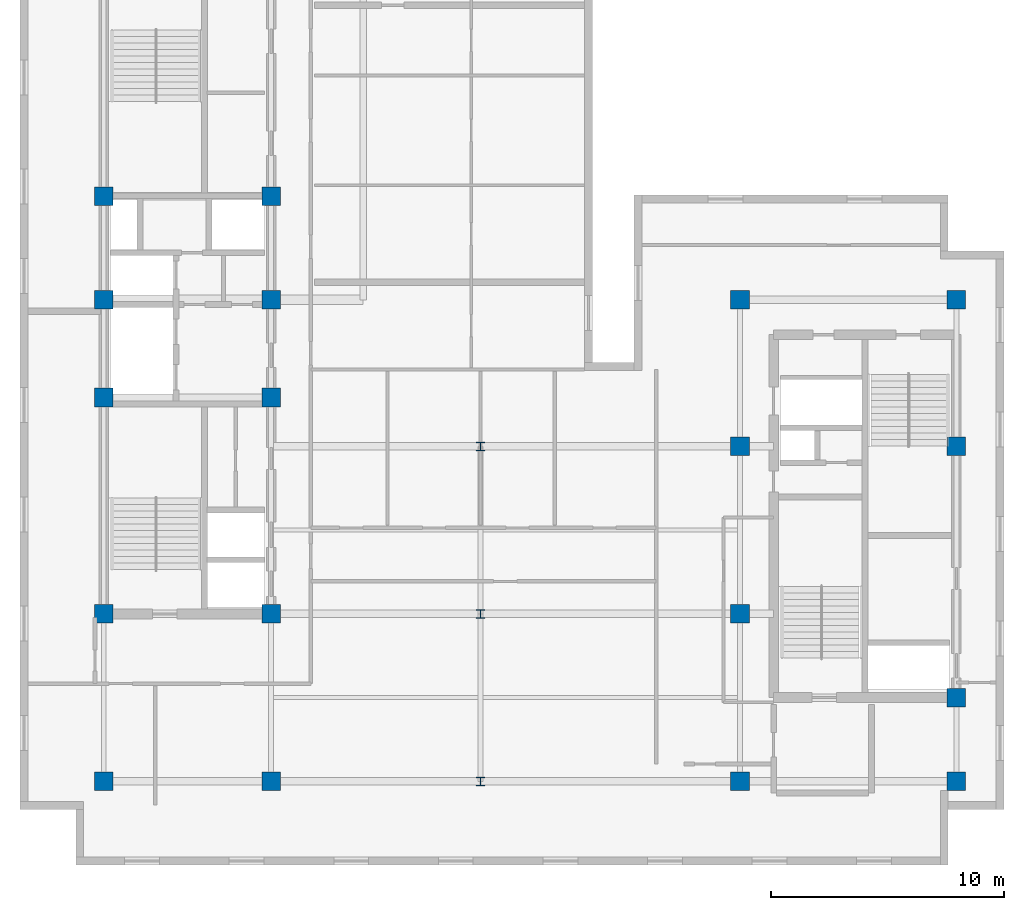
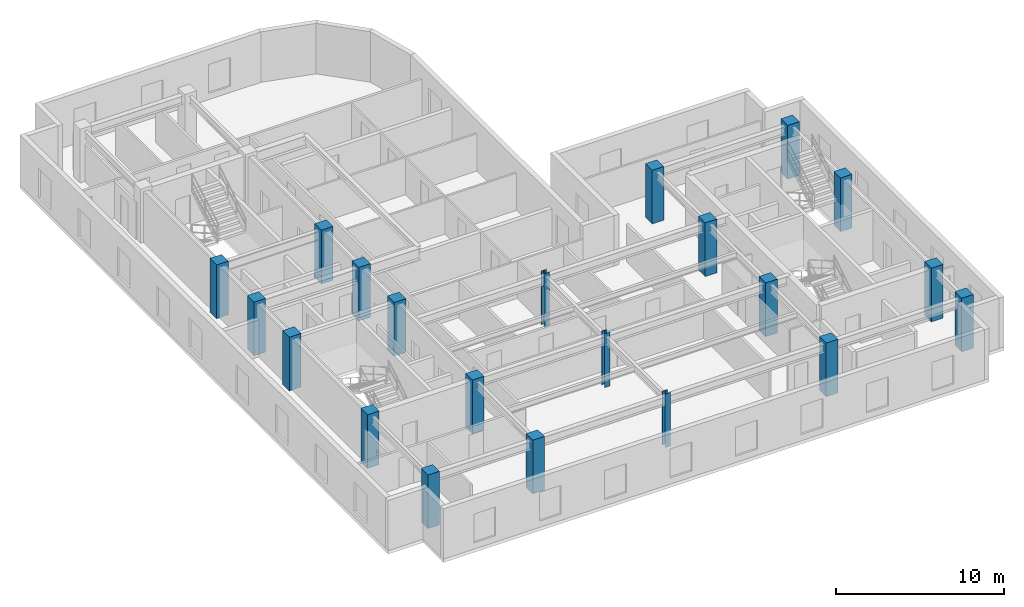
# One storey, part 1 of 10: 21 columns.
"""IFC4 building model written with IfcOpenShell, lengths in metres."""

import ifcopenshell
import ifcopenshell.guid

model = None  # the IFC model being written
_history = None  # IfcOwnerHistory: only IFC2X3 demands one
_inside = {}  # id of a spatial element -> (the spatial element, [elements in it])
_under = {}  # id of a project, library or spatial element -> (it, [spatial elements below it])
_declared = {}  # id of a project -> (the project, [libraries it declares])
_typed = {}  # id of a type object -> (the type object, [elements of that type])
_made_of = {}  # id of a material, layer set ... -> (it, [elements and type objects made of it])


def new_model(schema):
    """Start an empty IFC model of exactly this schema.

    Asked for "IFC4X3", IfcOpenShell would pick the latest addendum, in which some entities
    have other attributes; the version numbers below select the first issue.
    IFC2X3 requires an IfcOwnerHistory on every rooted entity: one is made here for all.
    """
    global model, _history
    if schema == "IFC4X3":
        model = ifcopenshell.file(schema_version=(4, 3, 0, 0))
    else:
        model = ifcopenshell.file(schema=schema)
    _inside.clear()
    _under.clear()
    _declared.clear()
    _typed.clear()
    _made_of.clear()
    _history = None
    if model.schema == "IFC2X3":
        org = make("IfcOrganization", Name="unknown")
        user = make(
            "IfcPersonAndOrganization",
            ThePerson=make("IfcPerson", FamilyName="unknown"),
            TheOrganization=org,
        )
        app = make(
            "IfcApplication",
            ApplicationDeveloper=org,
            Version="unknown",
            ApplicationFullName="unknown",
            ApplicationIdentifier="unknown",
        )
        _history = make(
            "IfcOwnerHistory",
            OwningUser=user,
            OwningApplication=app,
            ChangeAction="ADDED",
            CreationDate=0,
        )
    return model


def make(cls, **values):
    """One entity of the class cls with the attributes given. An attribute that is None is left unset."""
    return model.create_entity(
        cls, **{name: value for name, value in values.items() if value is not None}
    )


def entity(cls, *values):
    """Any entity or typed value of the class cls, its attributes in the order of the schema. None: left unset."""
    e = model.create_entity(cls)
    for i, value in enumerate(values):
        if value is not None:
            e[i] = value
    return e


def rooted(cls, **values):
    """An entity with a GlobalId (a new one), such as an element, a storey or a relation."""
    return make(cls, GlobalId=ifcopenshell.guid.new(), OwnerHistory=_history, **values)


def si_unit(unit_type, name, prefix=None):
    """IfcSIUnit, for example si_unit("LENGTHUNIT", "METRE", prefix="MILLI")."""
    return make("IfcSIUnit", UnitType=unit_type, Prefix=prefix, Name=name)


def converted_unit(unit_type, name, factor, base, dimensions=None, offset=None):
    """IfcConversionBasedUnit, such as the inch: factor (a typed value) times the base unit."""
    return make(
        "IfcConversionBasedUnit"
        if offset is None
        else "IfcConversionBasedUnitWithOffset",
        ConversionOffset=offset,
        Dimensions=None
        if dimensions is None
        else entity("IfcDimensionalExponents", *dimensions),
        UnitType=unit_type,
        Name=name,
        ConversionFactor=make(
            "IfcMeasureWithUnit", ValueComponent=factor, UnitComponent=base
        ),
    )


def assignment(units):
    """IfcUnitAssignment: the units of a project."""
    return None if units is None else make("IfcUnitAssignment", Units=units)


def point(xyz):
    """IfcCartesianPoint."""
    return None if xyz is None else make("IfcCartesianPoint", Coordinates=xyz)


def direction(xyz):
    """IfcDirection."""
    return None if xyz is None else make("IfcDirection", DirectionRatios=xyz)


def frame(location, z_axis=None, x_axis=None):
    """IfcAxis2Placement3D, a coordinate frame: its origin and axes. An axis left out is left unset."""
    return make(
        "IfcAxis2Placement3D",
        Location=point(location),
        Axis=direction(z_axis),
        RefDirection=direction(x_axis),
    )


def frame_2d(location, x_axis=None):
    """IfcAxis2Placement2D, a coordinate frame in the plane: its origin and x axis."""
    return make(
        "IfcAxis2Placement2D", Location=point(location), RefDirection=direction(x_axis)
    )


def origin_with_axes():
    """The frame at (0, 0, 0) with the z axis (0, 0, 1) and the x axis (1, 0, 0) written out."""
    return frame((0.0, 0.0, 0.0), z_axis=(0.0, 0.0, 1.0), x_axis=(1.0, 0.0, 0.0))


def origin_2d_with_axis():
    """The frame at (0, 0) in the plane with the x axis (1, 0) written out."""
    return frame_2d((0.0, 0.0), x_axis=(1.0, 0.0))


def place(relative_to, where):
    """IfcLocalPlacement: puts the frame where relative to a parent placement (None: the world)."""
    return make(
        "IfcLocalPlacement", PlacementRelTo=relative_to, RelativePlacement=where
    )


def context(
    kind, dimensions, precision=None, world=None, true_north=None, identifier=None
):
    """IfcGeometricRepresentationContext, for example the 3D "Model" context."""
    return make(
        "IfcGeometricRepresentationContext",
        ContextIdentifier=identifier,
        ContextType=kind,
        CoordinateSpaceDimension=dimensions,
        Precision=precision,
        WorldCoordinateSystem=world,
        TrueNorth=true_north,
    )


def subcontext(parent, identifier, kind, view, scale=None):
    """IfcGeometricRepresentationSubContext, for example "Body" below "Model"."""
    return make(
        "IfcGeometricRepresentationSubContext",
        ContextIdentifier=identifier,
        ContextType=kind,
        ParentContext=parent,
        TargetScale=scale,
        TargetView=view,
    )


def project(units=None, contexts=None):
    """IfcProject with its units and contexts."""
    return rooted(
        "IfcProject",
        Name="project",
        RepresentationContexts=contexts,
        UnitsInContext=assignment(units),
    )


def spatial(cls, under=None, at=None, **own):
    """A site, building, storey or space (cls), placed at a placement, below another one or the project."""
    s = rooted(cls, ObjectPlacement=at, **own)
    if under is not None:
        _under.setdefault(under.id(), (under, []))[1].append(s)
    return s


def profile(cls, at=None, kind="AREA", **sizes):
    """A parametric profile (cls). Its sizes go by their IFC names, for example OverallWidth=200.0."""
    return make(cls, ProfileType=kind, Position=at, **sizes)


def rectangle(**sizes):
    """IfcRectangleProfileDef."""
    return profile("IfcRectangleProfileDef", **sizes)


def i_section(**sizes):
    """IfcIShapeProfileDef."""
    return profile("IfcIShapeProfileDef", **sizes)


def extrude(swept, where, along, depth):
    """IfcExtrudedAreaSolid: the profile swept, set in the frame where, extruded along a direction by depth."""
    return make(
        "IfcExtrudedAreaSolid",
        SweptArea=swept,
        Position=where,
        ExtrudedDirection=direction(along),
        Depth=depth,
    )


def shape(context_of_items, identifier, shape_type, items):
    """IfcShapeRepresentation: the items that make up one representation, for example the "Body"."""
    return make(
        "IfcShapeRepresentation",
        ContextOfItems=context_of_items,
        RepresentationIdentifier=identifier,
        RepresentationType=shape_type,
        Items=items,
    )


def material(Name=None, Category=None):
    """IfcMaterial."""
    return make("IfcMaterial", Name=Name, Category=Category)


def material_profile(
    of_material, cross_section, Name=None, Category=None, Priority=None
):
    """IfcMaterialProfile: a cross section and its material."""
    return make(
        "IfcMaterialProfile",
        Name=Name,
        Material=of_material,
        Profile=cross_section,
        Priority=Priority,
        Category=Category,
    )


def profile_set(profiles, Name=None, composite=None):
    """IfcMaterialProfileSet."""
    return make(
        "IfcMaterialProfileSet",
        Name=Name,
        MaterialProfiles=profiles,
        CompositeProfile=composite,
    )


def made_of(thing, what):
    """Note that an element or type object is made of a material, layer set ...; save() writes the relation."""
    if what is not None:
        _made_of.setdefault(what.id(), (what, []))[1].append(thing)
    return thing


def type_object(cls, material=None, **own):
    """A type object (cls), such as IfcWallType, which elements share."""
    return made_of(rooted(cls, **own), material)


def element(
    cls,
    number,
    at=None,
    inside=None,
    cuts=None,
    type_object=None,
    material=None,
    context=None,
    identifier="Body",
    shape_type=None,
    held_by="IfcProductDefinitionShape",
    body=None,
    shapes=None,
    **own,
):
    """One element of the class cls, such as IfcWall. Its Tag is "e" and its number.

    at: its placement. inside: the storey or other place that contains it. cuts: it is an
    opening in that element (IfcRelVoidsElement). A single representation is given by context,
    identifier, shape_type and body (its items); several are given by shapes. held_by: the class
    of the entity that holds the representations. save() writes the other relations.
    """
    e = rooted(cls, Tag="e%d" % number, ObjectPlacement=at, **own)
    if body is not None:
        shapes = [shape(context, identifier, shape_type, body)]
    if shapes is not None:
        e.Representation = make(held_by, Representations=shapes)
    if inside is not None:
        _inside.setdefault(inside.id(), (inside, []))[1].append(e)
    if cuts is not None:
        rooted(
            "IfcRelVoidsElement", RelatingBuildingElement=cuts, RelatedOpeningElement=e
        )
    if type_object is not None:
        _typed.setdefault(type_object.id(), (type_object, []))[1].append(e)
    return made_of(e, material)


def aggregate(whole, parts):
    """IfcRelAggregates: a whole, such as a stair, and the parts it consists of."""
    return rooted("IfcRelAggregates", RelatingObject=whole, RelatedObjects=parts)


def save(model, path):
    """Write the relations noted so far, then the file.

    IfcRelAggregates (storeys below a building ...), IfcRelContainedInSpatialStructure (elements
    in a storey), IfcRelDefinesByType, IfcRelAssociatesMaterial and IfcRelDeclares: one each for
    every whole, place, type object, material and project.
    """
    for whole, parts in _under.values():
        aggregate(whole, parts)
    for where, things in _inside.values():
        rooted(
            "IfcRelContainedInSpatialStructure",
            RelatedElements=things,
            RelatingStructure=where,
        )
    for kind, things in _typed.values():
        rooted("IfcRelDefinesByType", RelatedObjects=things, RelatingType=kind)
    for what, things in _made_of.values():
        rooted("IfcRelAssociatesMaterial", RelatedObjects=things, RelatingMaterial=what)
    for by, libraries in _declared.values():
        rooted("IfcRelDeclares", RelatingContext=by, RelatedDefinitions=libraries)
    model.write(path)


model = new_model("IFC4")

# Units and contexts
model_context = context("Model", 3, precision=1e-05, world=origin_with_axes(), true_north=direction((0.0, 1.0)))
body_context = subcontext(model_context, "Body", "Model", "MODEL_VIEW")
ifc_project = project(units=[si_unit("LENGTHUNIT", "METRE"), si_unit("AREAUNIT", "SQUARE_METRE"), si_unit("VOLUMEUNIT", "CUBIC_METRE"), converted_unit("PLANEANGLEUNIT", "DEGREE", entity("IfcPlaneAngleMeasure", 0.017453292519943295), si_unit("PLANEANGLEUNIT", "RADIAN"), dimensions=[0, 0, 0, 0, 0, 0, 0]), si_unit("MASSUNIT", "GRAM", prefix="KILO"), si_unit("THERMODYNAMICTEMPERATUREUNIT", "KELVIN")], contexts=[model_context])

# Site, building, storey
site_placement = place(None, origin_with_axes())
site = spatial("IfcSite", under=ifc_project, at=site_placement, CompositionType="ELEMENT")
building_placement = place(site_placement, origin_with_axes())
building = spatial("IfcBuilding", under=site, at=building_placement, Name="Varnlund Millrace Tower", CompositionType="ELEMENT")
storey_placement = place(building_placement, frame((0.0, 0.0, 272.4), z_axis=(0.0, 0.0, 1.0), x_axis=(1.0, 0.0, 0.0)))
storey = spatial("IfcBuildingStorey", under=building, at=storey_placement, Name="L67", CompositionType="ELEMENT", Elevation=272.4)

# Columns
ifc_material_1 = material(Name="Steel ASTM A992 Grade 50", Category="steel")
ifc_material_profile_1 = material_profile(ifc_material_1, i_section(OverallWidth=0.369, OverallDepth=0.356, WebThickness=0.0112, FlangeThickness=0.018, FilletRadius=0.018, at=origin_2d_with_axis()), Name="Steel ASTM A992 Grade 50")
ifc_profile_set_1 = profile_set([ifc_material_profile_1], Name="Steel ASTM A992 Grade 50")
column_type_1 = type_object("IfcColumnType", Name="Type-Col-Int-W14X90", PredefinedType="COLUMN", material=ifc_profile_set_1)
for number, where, z_axis, x_axis, name in (
    (1, (27.6, 3.6, 0.0), (0.0, 0.0, 1.0), (1.0, 0.0, 0.0), "Type-Col-Int-W14X90"),
    (2, (27.6, 10.8, 0.0), (0.0, 0.0, 1.0), (1.0, 0.0, 0.0), "Type-Col-Int-W14X90"),
    (3, (27.6, 18.0, 0.0), (0.0, 0.0, 1.0), (1.0, 0.0, 0.0), "Type-Col-Int-W14X90"),
):
    element("IfcColumn", number, at=place(storey_placement, frame(where, z_axis=z_axis, x_axis=x_axis)), inside=storey, type_object=column_type_1, Name=name, PredefinedType="COLUMN", context=body_context, shape_type="SweptSolid", body=[
        extrude(i_section(OverallWidth=0.369, OverallDepth=0.356, WebThickness=0.0112, FlangeThickness=0.018, FilletRadius=0.018, at=origin_2d_with_axis()), origin_with_axes(), (0.0, 0.0, 1.0), 3.9),
    ])
ifc_material_2 = material(Name="Concrete C60/75", Category="concrete")
ifc_material_profile_2 = material_profile(ifc_material_2, rectangle(XDim=0.8, YDim=0.8, at=origin_2d_with_axis()), Name="Concrete C60/75")
ifc_profile_set_2 = profile_set([ifc_material_profile_2], Name="Concrete C60/75")
column_type_2 = type_object("IfcColumnType", Name="Type-Col-RC800-C60", PredefinedType="COLUMN", material=ifc_profile_set_2)
for number, where, z_axis, x_axis, name in (
    (4, (11.4, 3.6, 0.0), (0.0, 0.0, 1.0), (1.0, 0.0, 0.0), "Type-Col-RC800-C60"),
    (5, (11.4, 10.8, 0.0), (0.0, 0.0, 1.0), (1.0, 0.0, 0.0), "Type-Col-RC800-C60"),
    (6, (11.4, 20.1, 0.0), (0.0, 0.0, 1.0), (1.0, 0.0, 0.0), "Type-Col-RC800-C60"),
    (7, (11.4, 24.3, 0.0), (0.0, 0.0, 1.0), (1.0, 0.0, 0.0), "Type-Col-RC800-C60"),
    (8, (11.4, 28.75, 0.0), (0.0, 0.0, 1.0), (1.0, 0.0, 0.0), "Type-Col-RC800-C60"),
    (9, (18.6, 3.6, 0.0), (0.0, 0.0, 1.0), (1.0, 0.0, 0.0), "Type-Col-RC800-C60"),
    (10, (18.6, 10.8, 0.0), (0.0, 0.0, 1.0), (1.0, 0.0, 0.0), "Type-Col-RC800-C60"),
    (11, (18.6, 20.1, 0.0), (0.0, 0.0, 1.0), (1.0, 0.0, 0.0), "Type-Col-RC800-C60"),
    (12, (18.6, 24.3, 0.0), (0.0, 0.0, 1.0), (1.0, 0.0, 0.0), "Type-Col-RC800-C60"),
    (13, (18.6, 28.75, 0.0), (0.0, 0.0, 1.0), (1.0, 0.0, 0.0), "Type-Col-RC800-C60"),
    (14, (38.75, 3.6, 0.0), (0.0, 0.0, 1.0), (1.0, 0.0, 0.0), "Type-Col-RC800-C60"),
    (15, (38.75, 10.8, 0.0), (0.0, 0.0, 1.0), (1.0, 0.0, 0.0), "Type-Col-RC800-C60"),
    (16, (38.75, 18.0, 0.0), (0.0, 0.0, 1.0), (1.0, 0.0, 0.0), "Type-Col-RC800-C60"),
    (17, (38.75, 24.3, 0.0), (0.0, 0.0, 1.0), (1.0, 0.0, 0.0), "Type-Col-RC800-C60"),
    (18, (48.05, 3.6, 0.0), (0.0, 0.0, 1.0), (1.0, 0.0, 0.0), "Type-Col-RC800-C60"),
    (19, (48.05, 7.2, 0.0), (0.0, 0.0, 1.0), (1.0, 0.0, 0.0), "Type-Col-RC800-C60"),
    (20, (48.05, 18.0, 0.0), (0.0, 0.0, 1.0), (1.0, 0.0, 0.0), "Type-Col-RC800-C60"),
    (21, (48.05, 24.3, 0.0), (0.0, 0.0, 1.0), (1.0, 0.0, 0.0), "Type-Col-RC800-C60"),
):
    element("IfcColumn", number, at=place(storey_placement, frame(where, z_axis=z_axis, x_axis=x_axis)), inside=storey, type_object=column_type_2, Name=name, PredefinedType="COLUMN", context=body_context, shape_type="SweptSolid", body=[
        extrude(rectangle(XDim=0.8, YDim=0.8, at=origin_2d_with_axis()), origin_with_axes(), (0.0, 0.0, 1.0), 3.9),
    ])

save(model, "model.ifc")
